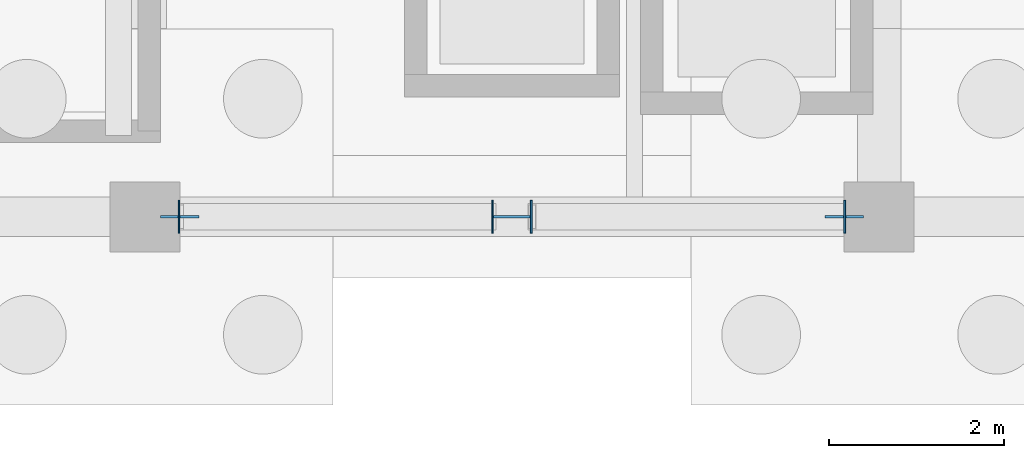
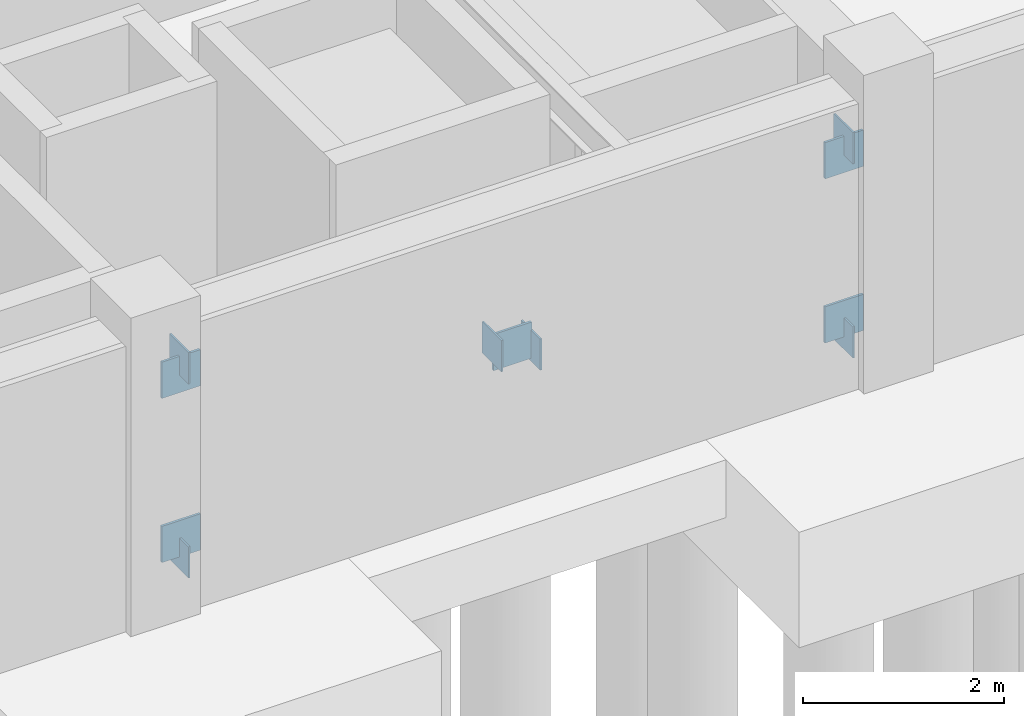
# One storey, part 39 of 70: 11 plates.
"""IFC4 building model written with IfcOpenShell, lengths in metres."""

from ifc_helpers import new_model, si_unit, direction, frame, origin, origin_2d, place, context, subcontext, project, spatial, rectangle, extrude, material, layer, layer_set, type_object, element, save


model = new_model("IFC4")

# Units and contexts
model_context = context("Model", 3, precision=1e-05, world=origin(), true_north=direction((0.0, 1.0)))
body_context = subcontext(model_context, "Body", "Model", "MODEL_VIEW")
ifc_project = project(units=[si_unit("LENGTHUNIT", "METRE"), si_unit("AREAUNIT", "SQUARE_METRE"), si_unit("VOLUMEUNIT", "CUBIC_METRE"), si_unit("PLANEANGLEUNIT", "RADIAN"), si_unit("MASSUNIT", "GRAM", prefix="KILO")], contexts=[model_context])

# Site, building, storey
site_placement = place(None, origin())
site = spatial("IfcSite", under=ifc_project, at=site_placement, CompositionType="ELEMENT")
building_placement = place(site_placement, origin())
building = spatial("IfcBuilding", under=site, at=building_placement, Name="Cumbredor Promenade Congress Hotel", CompositionType="ELEMENT")
storey_placement = place(building_placement, frame((0.0, 0.0, -7.56005859375)))
storey = spatial("IfcBuildingStorey", under=building, at=storey_placement, Name="B02", CompositionType="ELEMENT", Elevation=-7.56005859375)

# Plates
ifc_material = material(Name="Steel ASTM A572 Grade 50", Category="steel")
ifc_layer_1 = layer(ifc_material, 0.02001953125, Name="Steel ASTM A572 Grade 50", Category="steel")
ifc_layer_set_1 = layer_set([ifc_layer_1], Name="Steel ASTM A572 Grade 50")
plate_type_1 = type_object("IfcPlateType", Name="Hollow Section End Cap Plate CP-04", PredefinedType="USERDEFINED", material=ifc_layer_set_1)
for number, where, z_axis, x_axis, name in (
    (1, (151.59228515625, 8.39990234375, -0.192138671875), (0.0, 0.0, 1.0), (1.0, 0.0, 0.0), "B02 X-Brace Continuous Diagonal 3A Start Cap Plate"),
    (2, (159.20751953125, 8.39990234375, 2.16259765625), (0.0, 0.0, 1.0), (1.0, 0.0, 0.0), "B02 X-Brace Continuous Diagonal 3A End Cap Plate"),
    (3, (159.20751953125, 8.39990234375, -0.192138671875), (0.0, 0.0, 1.0), (-1.0, 0.0, 0.0), "B02 X-Brace Lower Split Diagonal 3B1 Start Cap Plate"),
    (4, (155.62158203125, 8.39990234375, 0.91650390625), (0.0, 0.0, 1.0), (-1.0, 0.0, 0.0), "B02 X-Brace Lower Split Diagonal 3B1 End Cap Plate"),
    (5, (155.17822265625, 8.39990234375, 1.0537109375), (0.0, 0.0, 1.0), (-1.0, 0.0, 0.0), "B02 X-Brace Upper Split Diagonal 3B2 Start Cap Plate"),
    (6, (151.59228515625, 8.39990234375, 2.16259765625), (0.0, 0.0, 1.0), (-1.0, 0.0, 0.0), "B02 X-Brace Upper Split Diagonal 3B2 End Cap Plate"),
):
    element("IfcPlate", number, at=place(storey_placement, frame(where, z_axis=z_axis, x_axis=x_axis)), inside=storey, type_object=plate_type_1, Name=name, ObjectType="CAP PLATE", PredefinedType="USERDEFINED", context=body_context, shape_type="SweptSolid", body=[
        extrude(rectangle(XDim=0.02001953125, YDim=0.3798828125, at=origin_2d()), origin(), (0.0, 0.0, 1.0), 0.3798828125),
    ])
ifc_layer_2 = layer(ifc_material, 0.028076171875, Name="Steel ASTM A572 Grade 50", Category="steel")
ifc_layer_set_2 = layer_set([ifc_layer_2], Name="Steel ASTM A572 Grade 50")
plate_type_2 = type_object("IfcPlateType", Name="Space Frame Node Assembly ND-03", PredefinedType="USERDEFINED", material=ifc_layer_set_2)
for number, where, z_axis, x_axis, name in (
    (7, (151.60009765625, 8.39990234375, -0.039794921875), (0.0, 0.0, 1.0), (1.0, 0.0, 0.0), "B02 Seismic Frame Gusset Plate 3-BL"),
    (8, (159.199951171875, 8.39990234375, -0.039794921875), (0.0, 0.0, 1.0), (1.0, 0.0, 0.0), "B02 Seismic Frame Gusset Plate 3-BR"),
    (9, (151.60009765625, 8.39990234375, 1.9501953125), (0.0, 0.0, 1.0), (1.0, 0.0, 0.0), "B02 Seismic Frame Gusset Plate 3-TL"),
    (10, (159.199951171875, 8.39990234375, 1.9501953125), (0.0, 0.0, 1.0), (1.0, 0.0, 0.0), "B02 Seismic Frame Gusset Plate 3-TR"),
    (11, (155.39990234375, 8.39990234375, 0.955078125), (0.0, 0.0, 1.0), (1.0, 0.0, 0.0), "B02 X-Brace Central Crossing Gusset Plate 3"),
):
    element("IfcPlate", number, at=place(storey_placement, frame(where, z_axis=z_axis, x_axis=x_axis)), inside=storey, type_object=plate_type_2, Name=name, ObjectType="GUSSET PLATE", PredefinedType="USERDEFINED", context=body_context, shape_type="SweptSolid", body=[
        extrude(rectangle(XDim=0.43994140625, YDim=0.028076171875, at=origin_2d()), origin(), (0.0, 0.0, 1.0), 0.43994140625),
    ])

save(model, "model.ifc")
